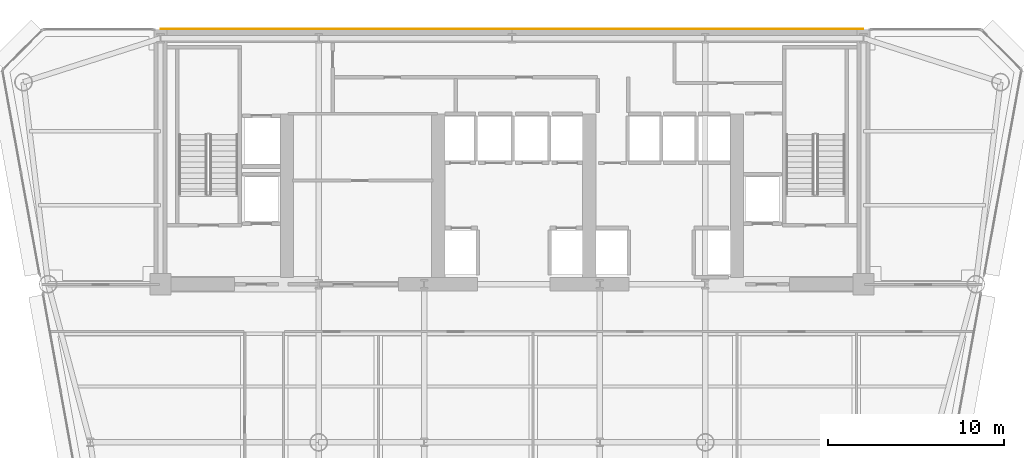
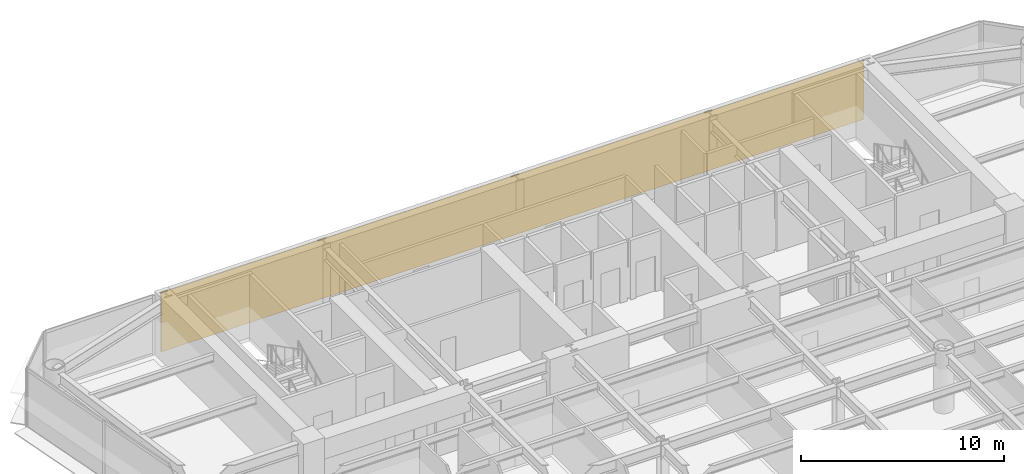
# One storey, part 13 of 14: 1 covering.
"""IFC4 building model written with IfcOpenShell, lengths in metres."""

from ifc_helpers import new_model, si_unit, direction, frame, origin, place, context, subcontext, project, spatial, polyline, outline, extrude, material, layer, layer_set, type_object, element, save


model = new_model("IFC4")

# Units and contexts
model_context = context("Model", 3, precision=1e-05, world=origin(), true_north=direction((0.0, 1.0)))
body_context = subcontext(model_context, "Body", "Model", "MODEL_VIEW")
ifc_project = project(units=[si_unit("LENGTHUNIT", "METRE"), si_unit("AREAUNIT", "SQUARE_METRE"), si_unit("VOLUMEUNIT", "CUBIC_METRE"), si_unit("PLANEANGLEUNIT", "RADIAN"), si_unit("MASSUNIT", "GRAM", prefix="KILO")], contexts=[model_context])

# Site, building, storey
site_placement = place(None, origin())
site = spatial("IfcSite", under=ifc_project, at=site_placement, CompositionType="ELEMENT")
building_placement = place(site_placement, origin())
building = spatial("IfcBuilding", under=site, at=building_placement, Name="Vaeldorn Concourse Tower", CompositionType="ELEMENT")
storey_placement = place(building_placement, frame((0.0, 0.0, 137.60009765625)))
storey = spatial("IfcBuildingStorey", under=building, at=storey_placement, Name="L35", CompositionType="ELEMENT", Elevation=137.60009765625)

# Covering
ifc_material = material(Name="Anodised Bronze Aluminium", Category="aluminium")
ifc_layer = layer(ifc_material, 0.050048828125)
ifc_layer_set = layer_set([ifc_layer], Name="Anodised Bronze Aluminium")
covering_type = type_object("IfcCoveringType", Name="COV-CLAD-BRONZE", PredefinedType="CLADDING", material=ifc_layer_set)
covering_placement = place(storey_placement, origin())
element("IfcCovering", 1, at=covering_placement, inside=storey, type_object=covering_type, Name="Rear Core Bronze Spandrel Cladding L35", PredefinedType="CLADDING", context=body_context, shape_type="SweptSolid", body=[
    extrude(outline(polyline([(14.0, 51.0), (54.0, 51.0), (54.0, 51.050048828125), (14.0, 51.050048828125), (14.0, 51.0)])), origin(), (0.0, 0.0, 1.0), 3.579833984375),
])

save(model, "model.ifc")
